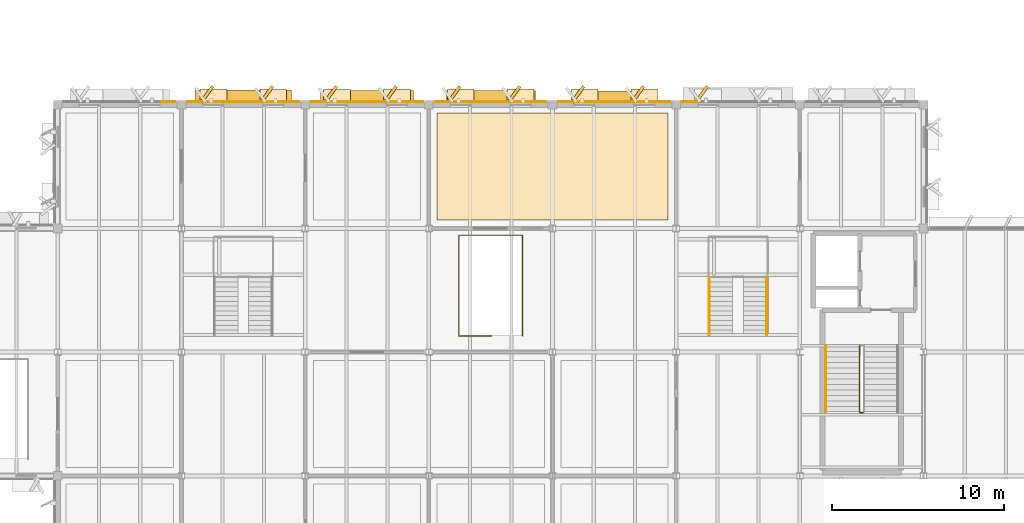
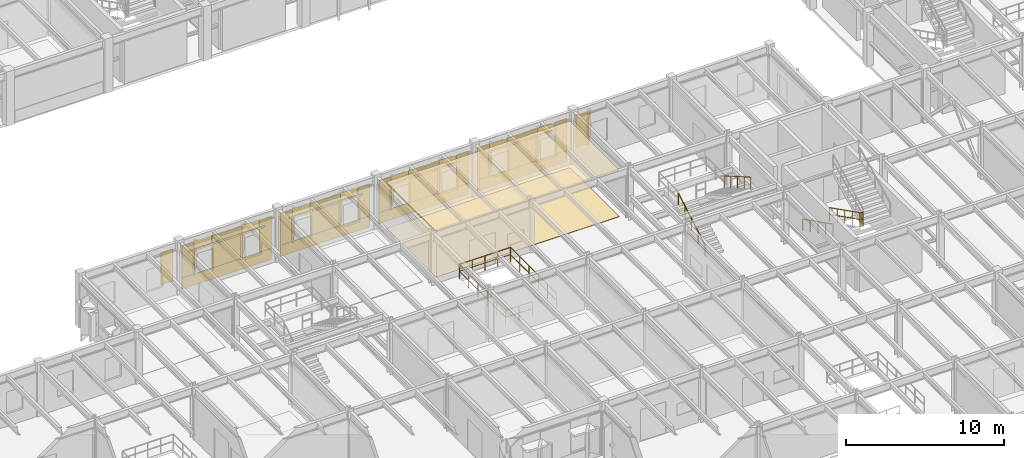
# One storey, part 77 of 85: 37 coverings, 6 railings, 4 shading devices.
"""IFC4 building model written with IfcOpenShell, lengths in metres."""

from ifc_helpers import new_model, si_unit, direction, frame, frame_2d, origin, origin_2d, place, context, subcontext, project, spatial, polyline, rectangle, circle, outline, extrude, material, layer, layer_set, type_object, element, save


model = new_model("IFC4")

# Units and contexts
model_context = context("Model", 3, precision=1e-05, world=origin(), true_north=direction((0.0, 1.0)))
body_context = subcontext(model_context, "Body", "Model", "MODEL_VIEW")
ifc_project = project(units=[si_unit("LENGTHUNIT", "METRE"), si_unit("AREAUNIT", "SQUARE_METRE"), si_unit("VOLUMEUNIT", "CUBIC_METRE"), si_unit("PLANEANGLEUNIT", "RADIAN"), si_unit("MASSUNIT", "GRAM", prefix="KILO")], contexts=[model_context])

# Site, building, storey
site_placement = place(None, origin())
site = spatial("IfcSite", under=ifc_project, at=site_placement, CompositionType="ELEMENT")
building_placement = place(site_placement, origin())
building = spatial("IfcBuilding", under=site, at=building_placement, Name="Sillqori Civic Hall", CompositionType="ELEMENT")
storey_placement = place(building_placement, frame((0.0, 0.0, 9.89990234375)))
storey = spatial("IfcBuildingStorey", under=building, at=storey_placement, Name="L03", CompositionType="ELEMENT", Elevation=9.89990234375)

# Coverings
ifc_material_1 = material(Name="Andean Cedar Deep Baffle 58", Category="timber")
ifc_layer_1 = layer(ifc_material_1, 0.05810546875)
ifc_layer_set_1 = layer_set([ifc_layer_1], Name="Andean Cedar Deep Baffle 58")
covering_type_1 = type_object("IfcCoveringType", Name="COV-CEIL-T58", PredefinedType="CEILING", material=ifc_layer_set_1)
covering_1_placement = place(storey_placement, frame((0.0, 0.0, 3.56298828125)))
element("IfcCovering", 1, at=covering_1_placement, inside=storey, type_object=covering_type_1, Name="Civic Heritage Exhibition Gallery L03-13 acoustic ceiling", PredefinedType="CEILING", context=body_context, shape_type="SweptSolid", body=[
    extrude(outline(polyline([(86.8798828125, 50.8798828125), (100.320068359375, 50.8798828125), (100.320068359375, 57.1201171875), (86.8798828125, 57.1201171875), (86.8798828125, 50.8798828125)])), origin(), (0.0, 0.0, 1.0), 0.05810546875),
])
ifc_material_2 = material(Name="Cochabamba Honed Limestone Cladding", Category="masonry")
ifc_layer_2 = layer(ifc_material_2, 0.044921875)
ifc_layer_set_2 = layer_set([ifc_layer_2], Name="Cochabamba Honed Limestone Cladding")
covering_type_2 = type_object("IfcCoveringType", Name="COV-CLAD-LIME", PredefinedType="CLADDING", material=ifc_layer_set_2)
covering_2_placement = place(storey_placement, frame((70.781982421875, 57.780029296875, 0.900146484375), z_axis=(0.0, 0.0, 1.0), x_axis=(1.0, 0.0, 0.0)))
element("IfcCovering", 2, at=covering_2_placement, inside=storey, type_object=covering_type_2, Name="L03 Wedge Hall limestone pier cladding L03-09-07-N.3", PredefinedType="CLADDING", context=body_context, shape_type="SweptSolid", body=[
    extrude(rectangle(XDim=0.887939453125, YDim=0.044921875, at=frame_2d((0.44384765625, 0.0))), origin(), (0.0, 0.0, 1.0), 2.47802734375),
])
covering_3_placement = place(storey_placement, frame((72.330078125, 57.780029296875, 0.0400390625), z_axis=(0.0, 0.0, 1.0), x_axis=(1.0, 0.0, 0.0)))
element("IfcCovering", 3, at=covering_3_placement, inside=storey, type_object=covering_type_2, Name="L03 limestone spandrel cladding L03-10-07-N", PredefinedType="CLADDING", context=body_context, shape_type="SweptSolid", body=[
    extrude(rectangle(XDim=6.5400390625, YDim=0.044921875, at=frame_2d((3.27001953125, 0.0))), origin(), (0.0, 0.0, 1.0), 0.860107421875),
])
covering_4_placement = place(storey_placement, frame((72.330078125, 57.780029296875, 0.900146484375), z_axis=(0.0, 0.0, 1.0), x_axis=(1.0, 0.0, 0.0)))
element("IfcCovering", 4, at=covering_4_placement, inside=storey, type_object=covering_type_2, Name="L03 Wedge Hall limestone pier cladding L03-10-07-N.1", PredefinedType="CLADDING", context=body_context, shape_type="SweptSolid", body=[
    extrude(rectangle(XDim=0.887939453125, YDim=0.044921875, at=frame_2d((0.44384765625, 0.0))), origin(), (0.0, 0.0, 1.0), 2.47802734375),
])
covering_5_placement = place(storey_placement, frame((74.498046875, 57.780029296875, 0.900146484375), z_axis=(0.0, 0.0, 1.0), x_axis=(1.0, 0.0, 0.0)))
element("IfcCovering", 5, at=covering_5_placement, inside=storey, type_object=covering_type_2, Name="L03 Wedge Hall limestone pier cladding L03-10-07-N.2", PredefinedType="CLADDING", context=body_context, shape_type="SweptSolid", body=[
    extrude(rectangle(XDim=2.203857421875, YDim=0.044921875, at=frame_2d((1.10205078125, 0.0))), origin(), (0.0, 0.0, 1.0), 2.47802734375),
])
covering_6_placement = place(storey_placement, frame((77.98193359375, 57.780029296875, 0.900146484375), z_axis=(0.0, 0.0, 1.0), x_axis=(1.0, 0.0, 0.0)))
element("IfcCovering", 6, at=covering_6_placement, inside=storey, type_object=covering_type_2, Name="L03 Wedge Hall limestone pier cladding L03-10-07-N.3", PredefinedType="CLADDING", context=body_context, shape_type="SweptSolid", body=[
    extrude(rectangle(XDim=0.88818359375, YDim=0.044921875, at=frame_2d((0.444091796875, 0.0))), origin(), (0.0, 0.0, 1.0), 2.47802734375),
])
covering_7_placement = place(storey_placement, frame((73.137939453125, 57.739990234375, 0.830078125), z_axis=(0.0, 0.0, 1.0), x_axis=(0.587805596445, 0.809002213092, 0.0)))
element("IfcCovering", 7, at=covering_7_placement, inside=storey, type_object=covering_type_2, Name="Sawtooth limestone angled reveal cheek L03-10-07-N.1", PredefinedType="CLADDING", context=body_context, shape_type="SweptSolid", body=[
    extrude(rectangle(XDim=1.150146484375, YDim=0.179931640625, at=frame_2d((0.5751953125, 0.0))), origin(), (0.0, 0.0, 1.0), 2.0),
])
covering_8_placement = place(storey_placement, frame((73.077880859375, 58.1201171875, 2.690185546875), z_axis=(0.0, 0.0, 1.0), x_axis=(1.0, 0.0, 0.0)))
element("IfcCovering", 8, at=covering_8_placement, inside=storey, type_object=covering_type_2, Name="Sawtooth limestone window hood L03-10-07-N.1", PredefinedType="CLADDING", context=body_context, shape_type="SweptSolid", body=[
    extrude(rectangle(XDim=1.56005859375, YDim=0.780029296875, at=frame_2d((0.780029296875, 0.0))), origin(), (0.0, 0.0, 1.0), 0.139892578125),
])
covering_9_placement = place(storey_placement, frame((76.6220703125, 57.739990234375, 0.830078125), z_axis=(0.0, 0.0, 1.0), x_axis=(0.587805596445, 0.809002213092, 0.0)))
element("IfcCovering", 9, at=covering_9_placement, inside=storey, type_object=covering_type_2, Name="Sawtooth limestone angled reveal cheek L03-10-07-N.2", PredefinedType="CLADDING", context=body_context, shape_type="SweptSolid", body=[
    extrude(rectangle(XDim=1.150146484375, YDim=0.179931640625, at=frame_2d((0.5751953125, 0.0))), origin(), (0.0, 0.0, 1.0), 2.0),
])
covering_10_placement = place(storey_placement, frame((76.56201171875, 58.1201171875, 2.690185546875), z_axis=(0.0, 0.0, 1.0), x_axis=(1.0, 0.0, 0.0)))
element("IfcCovering", 10, at=covering_10_placement, inside=storey, type_object=covering_type_2, Name="Sawtooth limestone window hood L03-10-07-N.2", PredefinedType="CLADDING", context=body_context, shape_type="SweptSolid", body=[
    extrude(rectangle(XDim=1.56005859375, YDim=0.780029296875, at=frame_2d((0.780029296875, 0.0))), origin(), (0.0, 0.0, 1.0), 0.139892578125),
])
covering_11_placement = place(storey_placement, frame((79.530029296875, 57.780029296875, 0.0400390625), z_axis=(0.0, 0.0, 1.0), x_axis=(1.0, 0.0, 0.0)))
element("IfcCovering", 11, at=covering_11_placement, inside=storey, type_object=covering_type_2, Name="L03 limestone spandrel cladding L03-11-07-N", PredefinedType="CLADDING", context=body_context, shape_type="SweptSolid", body=[
    extrude(rectangle(XDim=6.5400390625, YDim=0.044921875, at=frame_2d((3.27001953125, 0.0))), origin(), (0.0, 0.0, 1.0), 0.860107421875),
])
covering_12_placement = place(storey_placement, frame((79.530029296875, 57.780029296875, 0.900146484375), z_axis=(0.0, 0.0, 1.0), x_axis=(1.0, 0.0, 0.0)))
element("IfcCovering", 12, at=covering_12_placement, inside=storey, type_object=covering_type_2, Name="L03 Wedge Hall limestone pier cladding L03-11-07-N.1", PredefinedType="CLADDING", context=body_context, shape_type="SweptSolid", body=[
    extrude(rectangle(XDim=0.887939453125, YDim=0.044921875, at=frame_2d((0.44384765625, 0.0))), origin(), (0.0, 0.0, 1.0), 2.47802734375),
])
covering_13_placement = place(storey_placement, frame((81.697998046875, 57.780029296875, 0.900146484375), z_axis=(0.0, 0.0, 1.0), x_axis=(1.0, 0.0, 0.0)))
element("IfcCovering", 13, at=covering_13_placement, inside=storey, type_object=covering_type_2, Name="L03 Wedge Hall limestone pier cladding L03-11-07-N.2", PredefinedType="CLADDING", context=body_context, shape_type="SweptSolid", body=[
    extrude(rectangle(XDim=2.2041015625, YDim=0.044921875, at=frame_2d((1.10205078125, 0.0))), origin(), (0.0, 0.0, 1.0), 2.47802734375),
])
covering_14_placement = place(storey_placement, frame((85.181884765625, 57.780029296875, 0.900146484375), z_axis=(0.0, 0.0, 1.0), x_axis=(1.0, 0.0, 0.0)))
element("IfcCovering", 14, at=covering_14_placement, inside=storey, type_object=covering_type_2, Name="L03 Wedge Hall limestone pier cladding L03-11-07-N.3", PredefinedType="CLADDING", context=body_context, shape_type="SweptSolid", body=[
    extrude(rectangle(XDim=0.88818359375, YDim=0.044921875, at=frame_2d((0.444091796875, 0.0))), origin(), (0.0, 0.0, 1.0), 2.47802734375),
])
covering_15_placement = place(storey_placement, frame((80.337890625, 57.739990234375, 0.830078125), z_axis=(0.0, 0.0, 1.0), x_axis=(0.587805596445, 0.809002213092, 0.0)))
element("IfcCovering", 15, at=covering_15_placement, inside=storey, type_object=covering_type_2, Name="Sawtooth limestone angled reveal cheek L03-11-07-N.1", PredefinedType="CLADDING", context=body_context, shape_type="SweptSolid", body=[
    extrude(rectangle(XDim=1.150146484375, YDim=0.179931640625, at=frame_2d((0.5751953125, 0.0))), origin(), (0.0, 0.0, 1.0), 2.0),
])
covering_16_placement = place(storey_placement, frame((80.278076171875, 58.1201171875, 2.690185546875), z_axis=(0.0, 0.0, 1.0), x_axis=(1.0, 0.0, 0.0)))
element("IfcCovering", 16, at=covering_16_placement, inside=storey, type_object=covering_type_2, Name="Sawtooth limestone window hood L03-11-07-N.1", PredefinedType="CLADDING", context=body_context, shape_type="SweptSolid", body=[
    extrude(rectangle(XDim=1.559814453125, YDim=0.780029296875, at=frame_2d((0.77978515625, 0.0))), origin(), (0.0, 0.0, 1.0), 0.139892578125),
])
covering_17_placement = place(storey_placement, frame((83.822021484375, 57.739990234375, 0.830078125), z_axis=(0.0, 0.0, 1.0), x_axis=(0.587805596445, 0.809002213092, 0.0)))
element("IfcCovering", 17, at=covering_17_placement, inside=storey, type_object=covering_type_2, Name="Sawtooth limestone angled reveal cheek L03-11-07-N.2", PredefinedType="CLADDING", context=body_context, shape_type="SweptSolid", body=[
    extrude(rectangle(XDim=1.150146484375, YDim=0.179931640625, at=frame_2d((0.5751953125, 0.0))), origin(), (0.0, 0.0, 1.0), 2.0),
])
covering_18_placement = place(storey_placement, frame((83.761962890625, 58.1201171875, 2.690185546875), z_axis=(0.0, 0.0, 1.0), x_axis=(1.0, 0.0, 0.0)))
element("IfcCovering", 18, at=covering_18_placement, inside=storey, type_object=covering_type_2, Name="Sawtooth limestone window hood L03-11-07-N.2", PredefinedType="CLADDING", context=body_context, shape_type="SweptSolid", body=[
    extrude(rectangle(XDim=1.56005859375, YDim=0.780029296875, at=frame_2d((0.780029296875, 0.0))), origin(), (0.0, 0.0, 1.0), 0.139892578125),
])
covering_19_placement = place(storey_placement, frame((86.72998046875, 57.780029296875, 0.0400390625), z_axis=(0.0, 0.0, 1.0), x_axis=(1.0, 0.0, 0.0)))
element("IfcCovering", 19, at=covering_19_placement, inside=storey, type_object=covering_type_2, Name="L03 limestone spandrel cladding L03-12-07-N", PredefinedType="CLADDING", context=body_context, shape_type="SweptSolid", body=[
    extrude(rectangle(XDim=6.5400390625, YDim=0.044921875, at=frame_2d((3.27001953125, 0.0))), origin(), (0.0, 0.0, 1.0), 0.860107421875),
])
covering_20_placement = place(storey_placement, frame((86.72998046875, 57.780029296875, 0.900146484375), z_axis=(0.0, 0.0, 1.0), x_axis=(1.0, 0.0, 0.0)))
element("IfcCovering", 20, at=covering_20_placement, inside=storey, type_object=covering_type_2, Name="L03 Wedge Hall limestone pier cladding L03-12-07-N.1", PredefinedType="CLADDING", context=body_context, shape_type="SweptSolid", body=[
    extrude(rectangle(XDim=0.887939453125, YDim=0.044921875, at=frame_2d((0.44384765625, 0.0))), origin(), (0.0, 0.0, 1.0), 2.47802734375),
])
covering_21_placement = place(storey_placement, frame((88.89794921875, 57.780029296875, 0.900146484375), z_axis=(0.0, 0.0, 1.0), x_axis=(1.0, 0.0, 0.0)))
element("IfcCovering", 21, at=covering_21_placement, inside=storey, type_object=covering_type_2, Name="L03 Wedge Hall limestone pier cladding L03-12-07-N.2", PredefinedType="CLADDING", context=body_context, shape_type="SweptSolid", body=[
    extrude(rectangle(XDim=2.2041015625, YDim=0.044921875, at=frame_2d((1.10205078125, 0.0))), origin(), (0.0, 0.0, 1.0), 2.47802734375),
])
covering_22_placement = place(storey_placement, frame((92.382080078125, 57.780029296875, 0.900146484375), z_axis=(0.0, 0.0, 1.0), x_axis=(1.0, 0.0, 0.0)))
element("IfcCovering", 22, at=covering_22_placement, inside=storey, type_object=covering_type_2, Name="L03 Wedge Hall limestone pier cladding L03-12-07-N.3", PredefinedType="CLADDING", context=body_context, shape_type="SweptSolid", body=[
    extrude(rectangle(XDim=0.887939453125, YDim=0.044921875, at=frame_2d((0.44384765625, 0.0))), origin(), (0.0, 0.0, 1.0), 2.47802734375),
])
covering_23_placement = place(storey_placement, frame((87.5380859375, 57.739990234375, 0.830078125), z_axis=(0.0, 0.0, 1.0), x_axis=(0.587805596445, 0.809002213092, 0.0)))
element("IfcCovering", 23, at=covering_23_placement, inside=storey, type_object=covering_type_2, Name="Sawtooth limestone angled reveal cheek L03-12-07-N.1", PredefinedType="CLADDING", context=body_context, shape_type="SweptSolid", body=[
    extrude(rectangle(XDim=1.150146484375, YDim=0.179931640625, at=frame_2d((0.5751953125, 0.0))), origin(), (0.0, 0.0, 1.0), 2.0),
])
covering_24_placement = place(storey_placement, frame((87.47802734375, 58.1201171875, 2.690185546875), z_axis=(0.0, 0.0, 1.0), x_axis=(1.0, 0.0, 0.0)))
element("IfcCovering", 24, at=covering_24_placement, inside=storey, type_object=covering_type_2, Name="Sawtooth limestone window hood L03-12-07-N.1", PredefinedType="CLADDING", context=body_context, shape_type="SweptSolid", body=[
    extrude(rectangle(XDim=1.56005859375, YDim=0.780029296875, at=frame_2d((0.780029296875, 0.0))), origin(), (0.0, 0.0, 1.0), 0.139892578125),
])
covering_25_placement = place(storey_placement, frame((91.02197265625, 57.739990234375, 0.830078125), z_axis=(0.0, 0.0, 1.0), x_axis=(0.587805596445, 0.809002213092, 0.0)))
element("IfcCovering", 25, at=covering_25_placement, inside=storey, type_object=covering_type_2, Name="Sawtooth limestone angled reveal cheek L03-12-07-N.2", PredefinedType="CLADDING", context=body_context, shape_type="SweptSolid", body=[
    extrude(rectangle(XDim=1.150146484375, YDim=0.179931640625, at=frame_2d((0.5751953125, 0.0))), origin(), (0.0, 0.0, 1.0), 2.0),
])
covering_26_placement = place(storey_placement, frame((90.9619140625, 58.1201171875, 2.690185546875), z_axis=(0.0, 0.0, 1.0), x_axis=(1.0, 0.0, 0.0)))
element("IfcCovering", 26, at=covering_26_placement, inside=storey, type_object=covering_type_2, Name="Sawtooth limestone window hood L03-12-07-N.2", PredefinedType="CLADDING", context=body_context, shape_type="SweptSolid", body=[
    extrude(rectangle(XDim=1.56005859375, YDim=0.780029296875, at=frame_2d((0.780029296875, 0.0))), origin(), (0.0, 0.0, 1.0), 0.139892578125),
])
covering_27_placement = place(storey_placement, frame((93.929931640625, 57.780029296875, 0.0400390625), z_axis=(0.0, 0.0, 1.0), x_axis=(1.0, 0.0, 0.0)))
element("IfcCovering", 27, at=covering_27_placement, inside=storey, type_object=covering_type_2, Name="L03 limestone spandrel cladding L03-13-07-N", PredefinedType="CLADDING", context=body_context, shape_type="SweptSolid", body=[
    extrude(rectangle(XDim=6.5400390625, YDim=0.044921875, at=frame_2d((3.27001953125, 0.0))), origin(), (0.0, 0.0, 1.0), 0.860107421875),
])
covering_28_placement = place(storey_placement, frame((93.929931640625, 57.780029296875, 0.900146484375), z_axis=(0.0, 0.0, 1.0), x_axis=(1.0, 0.0, 0.0)))
element("IfcCovering", 28, at=covering_28_placement, inside=storey, type_object=covering_type_2, Name="L03 Wedge Hall limestone pier cladding L03-13-07-N.1", PredefinedType="CLADDING", context=body_context, shape_type="SweptSolid", body=[
    extrude(rectangle(XDim=0.88818359375, YDim=0.044921875, at=frame_2d((0.444091796875, 0.0))), origin(), (0.0, 0.0, 1.0), 2.47802734375),
])
covering_29_placement = place(storey_placement, frame((96.097900390625, 57.780029296875, 0.900146484375), z_axis=(0.0, 0.0, 1.0), x_axis=(1.0, 0.0, 0.0)))
element("IfcCovering", 29, at=covering_29_placement, inside=storey, type_object=covering_type_2, Name="L03 Wedge Hall limestone pier cladding L03-13-07-N.2", PredefinedType="CLADDING", context=body_context, shape_type="SweptSolid", body=[
    extrude(rectangle(XDim=2.2041015625, YDim=0.044921875, at=frame_2d((1.10205078125, 0.0))), origin(), (0.0, 0.0, 1.0), 2.47802734375),
])
covering_30_placement = place(storey_placement, frame((99.58203125, 57.780029296875, 0.900146484375), z_axis=(0.0, 0.0, 1.0), x_axis=(1.0, 0.0, 0.0)))
element("IfcCovering", 30, at=covering_30_placement, inside=storey, type_object=covering_type_2, Name="L03 Wedge Hall limestone pier cladding L03-13-07-N.3", PredefinedType="CLADDING", context=body_context, shape_type="SweptSolid", body=[
    extrude(rectangle(XDim=0.887939453125, YDim=0.044921875, at=frame_2d((0.44384765625, 0.0))), origin(), (0.0, 0.0, 1.0), 2.47802734375),
])
covering_31_placement = place(storey_placement, frame((94.738037109375, 57.739990234375, 0.830078125), z_axis=(0.0, 0.0, 1.0), x_axis=(0.587805596445, 0.809002213092, 0.0)))
element("IfcCovering", 31, at=covering_31_placement, inside=storey, type_object=covering_type_2, Name="Sawtooth limestone angled reveal cheek L03-13-07-N.1", PredefinedType="CLADDING", context=body_context, shape_type="SweptSolid", body=[
    extrude(rectangle(XDim=1.150146484375, YDim=0.179931640625, at=frame_2d((0.5751953125, 0.0))), origin(), (0.0, 0.0, 1.0), 2.0),
])
covering_32_placement = place(storey_placement, frame((94.677978515625, 58.1201171875, 2.690185546875), z_axis=(0.0, 0.0, 1.0), x_axis=(1.0, 0.0, 0.0)))
element("IfcCovering", 32, at=covering_32_placement, inside=storey, type_object=covering_type_2, Name="Sawtooth limestone window hood L03-13-07-N.1", PredefinedType="CLADDING", context=body_context, shape_type="SweptSolid", body=[
    extrude(rectangle(XDim=1.56005859375, YDim=0.780029296875, at=frame_2d((0.780029296875, 0.0))), origin(), (0.0, 0.0, 1.0), 0.139892578125),
])
covering_33_placement = place(storey_placement, frame((98.221923828125, 57.739990234375, 0.830078125), z_axis=(0.0, 0.0, 1.0), x_axis=(0.587805596445, 0.809002213092, 0.0)))
element("IfcCovering", 33, at=covering_33_placement, inside=storey, type_object=covering_type_2, Name="Sawtooth limestone angled reveal cheek L03-13-07-N.2", PredefinedType="CLADDING", context=body_context, shape_type="SweptSolid", body=[
    extrude(rectangle(XDim=1.150146484375, YDim=0.179931640625, at=frame_2d((0.5751953125, 0.0))), origin(), (0.0, 0.0, 1.0), 2.0),
])
covering_34_placement = place(storey_placement, frame((98.162109375, 58.1201171875, 2.690185546875), z_axis=(0.0, 0.0, 1.0), x_axis=(1.0, 0.0, 0.0)))
element("IfcCovering", 34, at=covering_34_placement, inside=storey, type_object=covering_type_2, Name="Sawtooth limestone window hood L03-13-07-N.2", PredefinedType="CLADDING", context=body_context, shape_type="SweptSolid", body=[
    extrude(rectangle(XDim=1.559814453125, YDim=0.780029296875, at=frame_2d((0.77978515625, 0.0))), origin(), (0.0, 0.0, 1.0), 0.139892578125),
])
covering_35_placement = place(storey_placement, frame((101.1298828125, 57.780029296875, 0.900146484375), z_axis=(0.0, 0.0, 1.0), x_axis=(1.0, 0.0, 0.0)))
element("IfcCovering", 35, at=covering_35_placement, inside=storey, type_object=covering_type_2, Name="L03 Wedge Hall limestone pier cladding L03-14-07-N.1", PredefinedType="CLADDING", context=body_context, shape_type="SweptSolid", body=[
    extrude(rectangle(XDim=0.88818359375, YDim=0.044921875, at=frame_2d((0.444091796875, 0.0))), origin(), (0.0, 0.0, 1.0), 2.47802734375),
])
covering_36_placement = place(storey_placement, frame((101.93798828125, 57.739990234375, 0.830078125), z_axis=(0.0, 0.0, 1.0), x_axis=(0.587805596445, 0.809002213092, 0.0)))
element("IfcCovering", 36, at=covering_36_placement, inside=storey, type_object=covering_type_2, Name="Sawtooth limestone angled reveal cheek L03-14-07-N.1", PredefinedType="CLADDING", context=body_context, shape_type="SweptSolid", body=[
    extrude(rectangle(XDim=1.150146484375, YDim=0.179931640625, at=frame_2d((0.5751953125, 0.0))), origin(), (0.0, 0.0, 1.0), 2.0),
])
ifc_material_3 = material(Name="Tajibo Parquet Strip Flooring 22", Category="timber")
ifc_layer_3 = layer(ifc_material_3, 0.02197265625)
ifc_layer_set_3 = layer_set([ifc_layer_3], Name="Tajibo Parquet Strip Flooring 22")
covering_type_3 = type_object("IfcCoveringType", Name="COV-FLR-T22", PredefinedType="FLOORING", material=ifc_layer_set_3)
covering_37_placement = place(storey_placement, origin())
element("IfcCovering", 37, at=covering_37_placement, inside=storey, type_object=covering_type_3, Name="Civic Heritage Exhibition Gallery L03-13 floor finish", PredefinedType="FLOORING", context=body_context, shape_type="SweptSolid", body=[
    extrude(outline(polyline([(86.8798828125, 50.8798828125), (100.320068359375, 50.8798828125), (100.320068359375, 57.1201171875), (86.8798828125, 57.1201171875), (86.8798828125, 50.8798828125)])), origin(), (0.0, 0.0, 1.0), 0.022216796875),
])

# Railings
ifc_material_4 = material(Name="Architectural Bronze and Tempered Glass Balustrade", Category="glass")
ifc_layer_4 = layer(ifc_material_4, 0.080078125)
ifc_layer_set_4 = layer_set([ifc_layer_4], Name="Architectural Bronze and Tempered Glass Balustrade")
railing_type_1 = type_object("IfcRailingType", Name="RLG-BALU-115", PredefinedType="BALUSTRADE", material=ifc_layer_set_4)
railing_1_placement = place(storey_placement, frame((90.06005859375, 44.139892578125, 0.0)))
element("IfcRailing", 38, at=railing_1_placement, inside=storey, type_object=railing_type_1, Name="Citizens Hall North Gallery Stair L02-L03 upper atrium well balustrade", PredefinedType="BALUSTRADE", context=body_context, shape_type="SweptSolid", body=[
    extrude(circle(Radius=0.02392578125, at=origin_2d()), frame((0.0, 0.0, 1.1259765625), z_axis=(-1.0, 0.0, 0.0), x_axis=(0.0, -1.0, 0.0)), (0.0, 0.0, 1.0), 1.920166015625),
    extrude(circle(Radius=0.02392578125, at=origin_2d()), frame((0.0, 0.0, 0.574951171875), z_axis=(-1.0, 0.0, 0.0), x_axis=(0.0, -1.0, 0.0)), (0.0, 0.0, 1.0), 1.920166015625),
    extrude(circle(Radius=0.02392578125, at=origin_2d()), frame((-1.920166015625, 0.0, 1.1259765625), z_axis=(0.0, 1.0, 0.0), x_axis=(-1.0, 0.0, 0.0)), (0.0, 0.0, 1.0), 5.8701171875),
    extrude(circle(Radius=0.02392578125, at=origin_2d()), frame((-1.920166015625, 0.0, 0.574951171875), z_axis=(0.0, 1.0, 0.0), x_axis=(-1.0, 0.0, 0.0)), (0.0, 0.0, 1.0), 5.8701171875),
    extrude(circle(Radius=0.02392578125, at=origin_2d()), frame((-1.920166015625, 5.8701171875, 1.1259765625), z_axis=(1.0, 0.0, 0.0), x_axis=(0.0, 1.0, 0.0)), (0.0, 0.0, 1.0), 3.72021484375),
    extrude(circle(Radius=0.02392578125, at=origin_2d()), frame((-1.920166015625, 5.8701171875, 0.574951171875), z_axis=(1.0, 0.0, 0.0), x_axis=(0.0, 1.0, 0.0)), (0.0, 0.0, 1.0), 3.72021484375),
    extrude(circle(Radius=0.02392578125, at=origin_2d()), frame((1.800048828125, 5.8701171875, 1.1259765625), z_axis=(0.0, -1.0, 0.0), x_axis=(1.0, 0.0, 0.0)), (0.0, 0.0, 1.0), 5.8701171875),
    extrude(circle(Radius=0.02392578125, at=origin_2d()), frame((1.800048828125, 5.8701171875, 0.574951171875), z_axis=(0.0, -1.0, 0.0), x_axis=(1.0, 0.0, 0.0)), (0.0, 0.0, 1.0), 5.8701171875),
    extrude(circle(Radius=0.02099609375, at=origin_2d()), origin(), (0.0, 0.0, 1.0), 1.101806640625),
    extrude(circle(Radius=0.02099609375, at=origin_2d()), frame((-0.9599609375, 0.0, 0.0)), (0.0, 0.0, 1.0), 1.101806640625),
    extrude(circle(Radius=0.02099609375, at=origin_2d()), frame((-1.920166015625, 0.0, 0.0)), (0.0, 0.0, 1.0), 1.101806640625),
    extrude(circle(Radius=0.02099609375, at=origin_2d()), frame((-1.920166015625, 1.174072265625, 0.0)), (0.0, 0.0, 1.0), 1.101806640625),
    extrude(circle(Radius=0.02099609375, at=origin_2d()), frame((-1.920166015625, 2.34814453125, 0.0)), (0.0, 0.0, 1.0), 1.101806640625),
    extrude(circle(Radius=0.02099609375, at=origin_2d()), frame((-1.920166015625, 3.52197265625, 0.0)), (0.0, 0.0, 1.0), 1.101806640625),
    extrude(circle(Radius=0.02099609375, at=origin_2d()), frame((-1.920166015625, 4.696044921875, 0.0)), (0.0, 0.0, 1.0), 1.101806640625),
    extrude(circle(Radius=0.02099609375, at=origin_2d()), frame((-1.920166015625, 5.8701171875, 0.0)), (0.0, 0.0, 1.0), 1.101806640625),
    extrude(circle(Radius=0.02099609375, at=origin_2d()), frame((-0.990234375, 5.8701171875, 0.0)), (0.0, 0.0, 1.0), 1.101806640625),
    extrude(circle(Radius=0.02099609375, at=origin_2d()), frame((-0.06005859375, 5.8701171875, 0.0)), (0.0, 0.0, 1.0), 1.101806640625),
    extrude(circle(Radius=0.02099609375, at=origin_2d()), frame((0.8701171875, 5.8701171875, 0.0)), (0.0, 0.0, 1.0), 1.101806640625),
    extrude(circle(Radius=0.02099609375, at=origin_2d()), frame((1.800048828125, 5.8701171875, 0.0)), (0.0, 0.0, 1.0), 1.101806640625),
    extrude(circle(Radius=0.02099609375, at=origin_2d()), frame((1.800048828125, 4.696044921875, 0.0)), (0.0, 0.0, 1.0), 1.101806640625),
    extrude(circle(Radius=0.02099609375, at=origin_2d()), frame((1.800048828125, 3.52197265625, 0.0)), (0.0, 0.0, 1.0), 1.101806640625),
    extrude(circle(Radius=0.02099609375, at=origin_2d()), frame((1.800048828125, 2.34814453125, 0.0)), (0.0, 0.0, 1.0), 1.101806640625),
    extrude(circle(Radius=0.02099609375, at=origin_2d()), frame((1.800048828125, 1.174072265625, 0.0)), (0.0, 0.0, 1.0), 1.101806640625),
    extrude(circle(Radius=0.02099609375, at=origin_2d()), frame((1.800048828125, 0.0, 0.0)), (0.0, 0.0, 1.0), 1.101806640625),
])
ifc_material_5 = material(Name="Brushed Stainless Steel 316 Handrail", Category="steel")
ifc_layer_5 = layer(ifc_material_5, 0.044921875)
ifc_layer_set_5 = layer_set([ifc_layer_5], Name="Brushed Stainless Steel 316 Handrail")
railing_type_2 = type_object("IfcRailingType", Name="RLG-CORE-092", PredefinedType="HANDRAIL", material=ifc_layer_set_5)
railing_2_placement = place(storey_placement, frame((109.510009765625, 43.570068359375, 0.16162109375)))
element("IfcRailing", 39, at=railing_2_placement, inside=storey, type_object=railing_type_2, Name="L03 ST-03 stair handrail 1", PredefinedType="HANDRAIL", context=body_context, shape_type="SweptSolid", body=[
    extrude(circle(Radius=0.02392578125, at=origin_2d()), frame((0.0, 0.0, 0.8759765625), z_axis=(0.0, -0.892706606903, 0.450638340569), x_axis=(1.0, 0.0, 0.0)), (0.0, 0.0, 1.0), 4.301513671875),
    extrude(circle(Radius=0.02099609375, at=origin_2d()), origin(), (0.0, 0.0, 1.0), 0.851806640625),
    extrude(circle(Radius=0.02099609375, at=origin_2d()), frame((0.0, -0.9599609375, 0.484619140625)), (0.0, 0.0, 1.0), 0.851806640625),
    extrude(circle(Radius=0.02099609375, at=origin_2d()), frame((0.0, -1.919921875, 0.96923828125)), (0.0, 0.0, 1.0), 0.851806640625),
    extrude(circle(Radius=0.02099609375, at=origin_2d()), frame((0.0, -2.880126953125, 1.453857421875)), (0.0, 0.0, 1.0), 0.851806640625),
    extrude(circle(Radius=0.02099609375, at=origin_2d()), frame((0.0, -3.840087890625, 1.9384765625)), (0.0, 0.0, 1.0), 0.851806640625),
])
railing_3_placement = place(storey_placement, frame((102.719970703125, 44.199951171875, 0.16162109375)))
element("IfcRailing", 40, at=railing_3_placement, inside=storey, type_object=railing_type_2, Name="Wedge Atrium Upper East Stair L03-L04 handrail W", PredefinedType="HANDRAIL", context=body_context, shape_type="SweptSolid", body=[
    extrude(circle(Radius=0.02392578125, at=origin_2d()), frame((0.0, 0.0, 0.89599609375), z_axis=(0.0, 0.866190824863, 0.499713372768), x_axis=(-1.0, 0.0, 0.0)), (0.0, 0.0, 1.0), 3.879150390625),
    extrude(circle(Radius=0.02099609375, at=origin_2d()), origin(), (0.0, 0.0, 1.0), 0.871826171875),
    extrude(circle(Radius=0.02099609375, at=origin_2d()), frame((0.0, 0.840087890625, 0.484619140625)), (0.0, 0.0, 1.0), 0.871826171875),
    extrude(circle(Radius=0.02099609375, at=origin_2d()), frame((0.0, 1.68017578125, 0.96923828125)), (0.0, 0.0, 1.0), 0.871826171875),
    extrude(circle(Radius=0.02099609375, at=origin_2d()), frame((0.0, 2.52001953125, 1.453857421875)), (0.0, 0.0, 1.0), 0.871826171875),
    extrude(circle(Radius=0.02099609375, at=origin_2d()), frame((0.0, 3.360107421875, 1.9384765625)), (0.0, 0.0, 1.0), 0.871826171875),
])
railing_4_placement = place(storey_placement, frame((106.080078125, 47.56005859375, 2.26171875)))
element("IfcRailing", 41, at=railing_4_placement, inside=storey, type_object=railing_type_2, Name="Wedge Atrium Upper East Stair L03-L04 handrail E", PredefinedType="HANDRAIL", context=body_context, shape_type="SweptSolid", body=[
    extrude(circle(Radius=0.02392578125, at=origin_2d()), frame((0.0, 0.0, 0.89599609375), z_axis=(0.0, -0.866190824863, 0.499713372768), x_axis=(1.0, 0.0, 0.0)), (0.0, 0.0, 1.0), 3.879150390625),
    extrude(circle(Radius=0.02099609375, at=origin_2d()), origin(), (0.0, 0.0, 1.0), 0.871826171875),
    extrude(circle(Radius=0.02099609375, at=origin_2d()), frame((0.0, -0.840087890625, 0.484619140625)), (0.0, 0.0, 1.0), 0.871826171875),
    extrude(circle(Radius=0.02099609375, at=origin_2d()), frame((0.0, -1.68017578125, 0.96923828125)), (0.0, 0.0, 1.0), 0.871826171875),
    extrude(circle(Radius=0.02099609375, at=origin_2d()), frame((0.0, -2.52001953125, 1.453857421875)), (0.0, 0.0, 1.0), 0.871826171875),
    extrude(circle(Radius=0.02099609375, at=origin_2d()), frame((0.0, -3.360107421875, 1.9384765625)), (0.0, 0.0, 1.0), 0.871826171875),
])
ifc_material_6 = material(Name="Galvanized Painted Steel Guardrail", Category="steel")
ifc_layer_6 = layer(ifc_material_6, 0.050048828125)
ifc_layer_set_6 = layer_set([ifc_layer_6], Name="Galvanized Painted Steel Guardrail")
railing_type_3 = type_object("IfcRailingType", Name="RLG-CORE-110", PredefinedType="GUARDRAIL", material=ifc_layer_set_6)
railing_5_placement = place(storey_placement, frame((111.469970703125, 43.570068359375, 0.16162109375)))
element("IfcRailing", 42, at=railing_5_placement, inside=storey, type_object=railing_type_3, Name="L03 ST-03 stair guard 1", PredefinedType="GUARDRAIL", context=body_context, shape_type="SweptSolid", body=[
    extrude(circle(Radius=0.02392578125, at=origin_2d()), frame((0.0, 0.0, 1.076171875), z_axis=(0.0, -0.892706606903, 0.450638340569), x_axis=(1.0, 0.0, 0.0)), (0.0, 0.0, 1.0), 4.301513671875),
    extrude(circle(Radius=0.02392578125, at=origin_2d()), frame((0.0, 0.0, 0.550048828125), z_axis=(0.0, -0.892706606903, 0.450638340569), x_axis=(1.0, 0.0, 0.0)), (0.0, 0.0, 1.0), 4.301513671875),
    extrude(circle(Radius=0.02099609375, at=origin_2d()), origin(), (0.0, 0.0, 1.0), 1.052001953125),
    extrude(circle(Radius=0.02099609375, at=origin_2d()), frame((0.0, -0.9599609375, 0.484619140625)), (0.0, 0.0, 1.0), 1.052001953125),
    extrude(circle(Radius=0.02099609375, at=origin_2d()), frame((0.0, -1.919921875, 0.96923828125)), (0.0, 0.0, 1.0), 1.052001953125),
    extrude(circle(Radius=0.02099609375, at=origin_2d()), frame((0.0, -2.880126953125, 1.453857421875)), (0.0, 0.0, 1.0), 1.052001953125),
    extrude(circle(Radius=0.02099609375, at=origin_2d()), frame((0.0, -3.840087890625, 1.9384765625)), (0.0, 0.0, 1.0), 1.052001953125),
])
railing_6_placement = place(storey_placement, frame((111.52001953125, 39.679931640625, 2.10009765625)))
element("IfcRailing", 43, at=railing_6_placement, inside=storey, type_object=railing_type_3, Name="L03 ST-03 stair guard 2", PredefinedType="GUARDRAIL", context=body_context, shape_type="SweptSolid", body=[
    extrude(circle(Radius=0.02392578125, at=origin_2d()), frame((0.0, 0.0, 1.076171875), z_axis=(1.0, 0.0, 0.0), x_axis=(0.0, 1.0, 0.0)), (0.0, 0.0, 1.0), 0.159912109375),
    extrude(circle(Radius=0.02392578125, at=origin_2d()), frame((0.0, 0.0, 0.550048828125), z_axis=(1.0, 0.0, 0.0), x_axis=(0.0, 1.0, 0.0)), (0.0, 0.0, 1.0), 0.159912109375),
    extrude(circle(Radius=0.02099609375, at=origin_2d()), origin(), (0.0, 0.0, 1.0), 1.052001953125),
    extrude(circle(Radius=0.02099609375, at=origin_2d()), frame((0.159912109375, 0.0, 0.0)), (0.0, 0.0, 1.0), 1.052001953125),
])

# Shading devices
ifc_material_7 = material(Name="Anodized Aluminium Solar Control Louvre", Category="aluminium")
shading_device_type_1 = type_object("IfcShadingDeviceType", Name="SHD-HOOD-500", PredefinedType="JALOUSIE", material=ifc_material_7)
shading_device_1_placement = place(storey_placement, frame((97.199951171875, 58.070068359375, 2.72021484375), z_axis=(0.0, 0.0, 1.0), x_axis=(1.0, 0.0, 0.0)))
element("IfcShadingDevice", 44, at=shading_device_1_placement, inside=storey, type_object=shading_device_type_1, Name="L03 north solar hood L03-13-07-N", PredefinedType="JALOUSIE", context=body_context, shape_type="SweptSolid", body=[
    extrude(rectangle(XDim=5.0, YDim=0.64990234375, at=origin_2d()), origin(), (0.0, 0.0, 1.0), 0.139892578125),
])
shading_device_type_2 = type_object("IfcShadingDeviceType", Name="SHD-HOOD-520", PredefinedType="JALOUSIE", material=ifc_material_7)
shading_device_2_placement = place(storey_placement, frame((90.0, 58.0849609375, 2.72021484375), z_axis=(0.0, 0.0, 1.0), x_axis=(1.0, 0.0, 0.0)))
element("IfcShadingDevice", 45, at=shading_device_2_placement, inside=storey, type_object=shading_device_type_2, Name="L03 north solar hood L03-12-07-N", PredefinedType="JALOUSIE", context=body_context, shape_type="SweptSolid", body=[
    extrude(rectangle(XDim=5.199951171875, YDim=0.679931640625, at=origin_2d()), origin(), (0.0, 0.0, 1.0), 0.139892578125),
])
shading_device_type_3 = type_object("IfcShadingDeviceType", Name="SHD-HOOD-540", PredefinedType="JALOUSIE", material=ifc_material_7)
shading_device_3_placement = place(storey_placement, frame((82.800048828125, 58.094970703125, 2.72021484375), z_axis=(0.0, 0.0, 1.0), x_axis=(1.0, 0.0, 0.0)))
element("IfcShadingDevice", 46, at=shading_device_3_placement, inside=storey, type_object=shading_device_type_3, Name="L03 north solar hood L03-11-07-N", PredefinedType="JALOUSIE", context=body_context, shape_type="SweptSolid", body=[
    extrude(rectangle(XDim=5.39990234375, YDim=0.699951171875, at=origin_2d()), origin(), (0.0, 0.0, 1.0), 0.139892578125),
])
shading_device_type_4 = type_object("IfcShadingDeviceType", Name="SHD-HOOD-560", PredefinedType="JALOUSIE", material=ifc_material_7)
shading_device_4_placement = place(storey_placement, frame((75.60009765625, 58.10498046875, 2.72021484375), z_axis=(0.0, 0.0, 1.0), x_axis=(1.0, 0.0, 0.0)))
element("IfcShadingDevice", 47, at=shading_device_4_placement, inside=storey, type_object=shading_device_type_4, Name="L03 north solar hood L03-10-07-N", PredefinedType="JALOUSIE", context=body_context, shape_type="SweptSolid", body=[
    extrude(rectangle(XDim=5.60009765625, YDim=0.719970703125, at=origin_2d()), origin(), (0.0, 0.0, 1.0), 0.139892578125),
])

save(model, "model.ifc")
